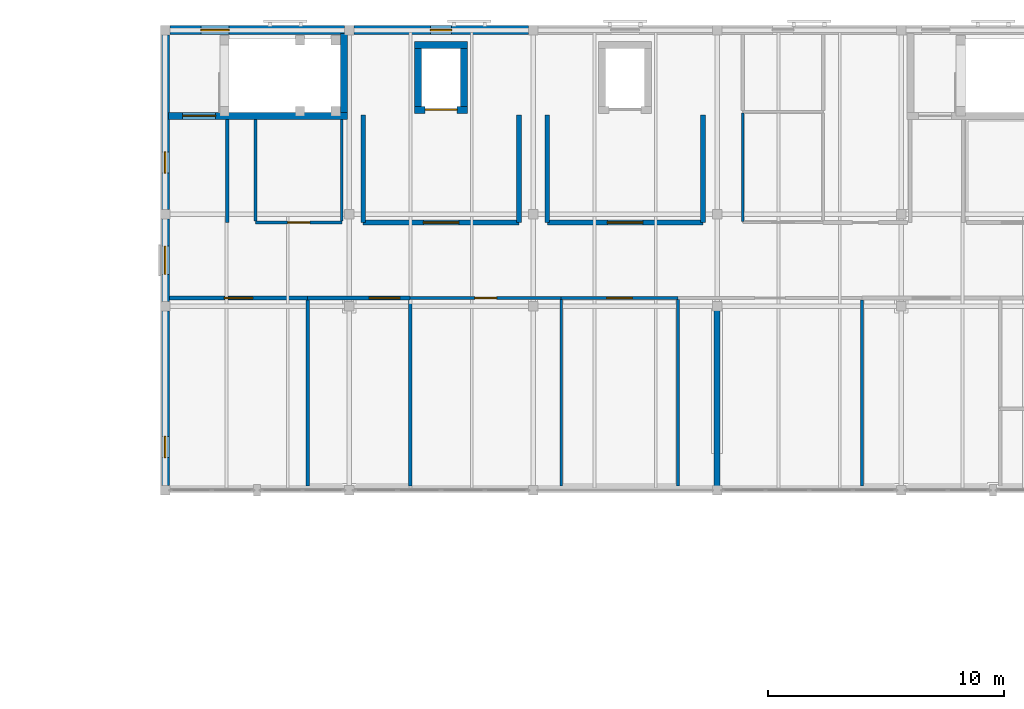
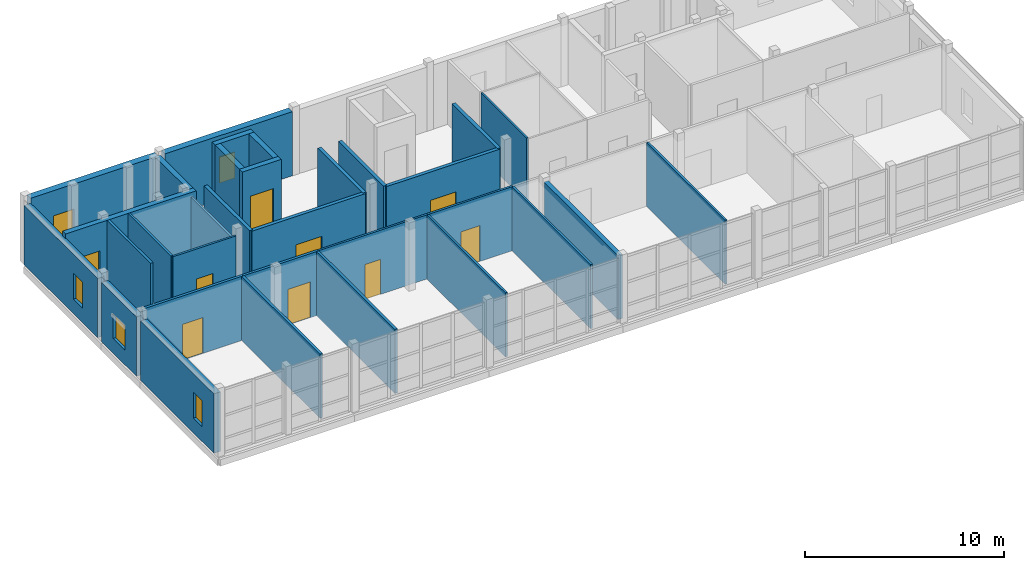
# One storey, part 17 of 21: 32 walls, 9 doors, 5 windows, 14 openings.
"""IFC4 building model written with IfcOpenShell, lengths in metres."""

from ifc_helpers import new_model, si_unit, direction, frame, frame_2d, origin, place, context, subcontext, project, spatial, rectangle, extrude, material, layer, layer_set, type_object, element, fill, save


model = new_model("IFC4")

# Units and contexts
model_context = context("Model", 3, precision=1e-05, world=origin(), true_north=direction((0.0, 1.0)))
body_context = subcontext(model_context, "Body", "Model", "MODEL_VIEW")
ifc_project = project(units=[si_unit("LENGTHUNIT", "METRE"), si_unit("AREAUNIT", "SQUARE_METRE"), si_unit("VOLUMEUNIT", "CUBIC_METRE"), si_unit("PLANEANGLEUNIT", "RADIAN"), si_unit("MASSUNIT", "GRAM", prefix="KILO")], contexts=[model_context])

# Site, building, storey
site_placement = place(None, origin())
site = spatial("IfcSite", under=ifc_project, at=site_placement, CompositionType="ELEMENT")
building_placement = place(site_placement, origin())
building = spatial("IfcBuilding", under=site, at=building_placement, Name="Celorna Specialist Clinic", CompositionType="ELEMENT")
storey_placement = place(building_placement, frame((0.0, 0.0, 23.10009765625)))
storey = spatial("IfcBuildingStorey", under=building, at=storey_placement, Name="L05", CompositionType="ELEMENT", Elevation=23.10009765625)

# Wall, opening, window
ifc_material_1 = material(Name="Terracotta masonry with insulated cavity", Category="masonry")
ifc_layer_1 = layer(ifc_material_1, 0.3798828125, Name="Terracotta masonry with insulated cavity")
ifc_layer_set_1 = layer_set([ifc_layer_1], Name="Terracotta masonry with insulated cavity")
wall_type_1 = type_object("IfcWallType", Name="WT-06", PredefinedType="STANDARD", material=ifc_layer_set_1)
wall_1_placement = place(storey_placement, frame((47.0, 116.0, 0.0), z_axis=(0.0, 0.0, 1.0), x_axis=(1.0, 0.0, 0.0)))
wall_1 = element("IfcWall", 1, at=wall_1_placement, inside=storey, type_object=wall_type_1, Name="External facade wall WT-06 #286", PredefinedType="STANDARD", context=body_context, shape_type="SweptSolid", body=[
    extrude(rectangle(XDim=7.39990234375, YDim=0.3798828125, at=frame_2d((3.699951171875, 0.0))), origin(), (0.0, 0.0, 1.0), 3.93994140625),
])
opening_1_placement = place(wall_1_placement, frame((1.31494140625, 0.0, 0.89990234375)))
opening_1 = element("IfcOpeningElement", 2, at=opening_1_placement, cuts=wall_1, Name="Opening WN-04", PredefinedType="OPENING", context=body_context, shape_type="SweptSolid", body=[
    extrude(rectangle(XDim=1.199951171875, YDim=1.5, at=frame_2d((0.60009765625, 0.75))), frame((0.0, 0.199951171875, 0.0), z_axis=(0.0, -1.0, 0.0), x_axis=(1.0, 0.0, 0.0)), (0.0, 0.0, 1.0), 0.39990234375),
])
ifc_material_2 = material(Name="Thermally broken aluminium triple-glazed window", Category="aluminium")
window_type_1 = type_object("IfcWindowType", Name="WN-04", PartitioningType="SINGLE_PANEL", PredefinedType="WINDOW", material=ifc_material_2)
window_1_placement = place(opening_1_placement, origin())
window_1 = element("IfcWindow", 3, at=window_1_placement, inside=storey, type_object=window_type_1, Name="Facade window WN-04 #165", OverallHeight=1.5, OverallWidth=1.199951171875, PartitioningType="SINGLE_PANEL", PredefinedType="WINDOW", context=body_context, shape_type="SweptSolid", body=[
    extrude(rectangle(XDim=1.199951171875, YDim=1.5, at=frame_2d((0.60009765625, 0.75))), frame((0.0, 0.030029296875, 0.0), z_axis=(0.0, -1.0, 0.0), x_axis=(1.0, 0.0, 0.0)), (0.0, 0.0, 1.0), 0.06005859375),
])
fill(opening_1, window_1)

wall_2_placement = place(storey_placement, frame((54.800048828125, 116.0, 0.0), z_axis=(0.0, 0.0, 1.0), x_axis=(1.0, 0.0, 0.0)))
wall_2 = element("IfcWall", 4, at=wall_2_placement, inside=storey, type_object=wall_type_1, Name="External facade wall WT-06 #287", PredefinedType="STANDARD", context=body_context, shape_type="SweptSolid", body=[
    extrude(rectangle(XDim=7.39990234375, YDim=0.3798828125, at=frame_2d((3.699951171875, 0.0))), origin(), (0.0, 0.0, 1.0), 3.93994140625),
])
opening_2_placement = place(wall_2_placement, frame((3.25, 0.0, 0.89990234375)))
opening_2 = element("IfcOpeningElement", 5, at=opening_2_placement, cuts=wall_2, Name="Opening WN-01", PredefinedType="OPENING", context=body_context, shape_type="SweptSolid", body=[
    extrude(rectangle(XDim=0.89990234375, YDim=1.60009765625, at=frame_2d((0.449951171875, 0.800048828125))), frame((0.0, 0.199951171875, 0.0), z_axis=(0.0, -1.0, 0.0), x_axis=(1.0, 0.0, 0.0)), (0.0, 0.0, 1.0), 0.39990234375),
])
window_type_2 = type_object("IfcWindowType", Name="WN-01", PartitioningType="SINGLE_PANEL", PredefinedType="WINDOW", material=ifc_material_2)
window_2_placement = place(opening_2_placement, origin())
window_2 = element("IfcWindow", 6, at=window_2_placement, inside=storey, type_object=window_type_2, Name="Facade window WN-01 #166", OverallHeight=1.60009765625, OverallWidth=0.89990234375, PartitioningType="SINGLE_PANEL", PredefinedType="WINDOW", context=body_context, shape_type="SweptSolid", body=[
    extrude(rectangle(XDim=0.89990234375, YDim=1.60009765625, at=frame_2d((0.449951171875, 0.800048828125))), frame((0.0, 0.030029296875, 0.0), z_axis=(0.0, -1.0, 0.0), x_axis=(1.0, 0.0, 0.0)), (0.0, 0.0, 1.0), 0.06005859375),
])
fill(opening_2, window_2)

wall_3_placement = place(storey_placement, frame((46.800048828125, 96.699951171875, 0.0), z_axis=(0.0, 0.0, 1.0), x_axis=(0.0, 1.0, 0.0)))
wall_3 = element("IfcWall", 7, at=wall_3_placement, inside=storey, type_object=wall_type_1, Name="External facade wall WT-06 #292", PredefinedType="STANDARD", context=body_context, shape_type="SweptSolid", body=[
    extrude(rectangle(XDim=7.400146484375, YDim=0.3798828125, at=frame_2d((3.7001953125, 0.0))), origin(), (0.0, 0.0, 1.0), 3.64990234375),
])
opening_3_placement = place(wall_3_placement, frame((1.18505859375, 0.0, 0.89990234375)))
opening_3 = element("IfcOpeningElement", 8, at=opening_3_placement, cuts=wall_3, Name="Opening WN-01", PredefinedType="OPENING", context=body_context, shape_type="SweptSolid", body=[
    extrude(rectangle(XDim=0.89990234375, YDim=1.60009765625, at=frame_2d((0.449951171875, 0.800048828125))), frame((0.0, 0.199951171875, 0.0), z_axis=(0.0, -1.0, 0.0), x_axis=(1.0, 0.0, 0.0)), (0.0, 0.0, 1.0), 0.39990234375),
])
window_3_placement = place(opening_3_placement, origin())
window_3 = element("IfcWindow", 9, at=window_3_placement, inside=storey, type_object=window_type_2, Name="Facade window WN-01 #171", OverallHeight=1.60009765625, OverallWidth=0.89990234375, PartitioningType="SINGLE_PANEL", PredefinedType="WINDOW", context=body_context, shape_type="SweptSolid", body=[
    extrude(rectangle(XDim=0.89990234375, YDim=1.60009765625, at=frame_2d((0.449951171875, 0.800048828125))), frame((0.0, 0.030029296875, 0.0), z_axis=(0.0, -1.0, 0.0), x_axis=(1.0, 0.0, 0.0)), (0.0, 0.0, 1.0), 0.06005859375),
])
fill(opening_3, window_3)

wall_4_placement = place(storey_placement, frame((46.800048828125, 104.5, 0.0), z_axis=(0.0, 0.0, 1.0), x_axis=(0.0, 1.0, 0.0)))
wall_4 = element("IfcWall", 10, at=wall_4_placement, inside=storey, type_object=wall_type_1, Name="External facade wall WT-06 #293", PredefinedType="STANDARD", context=body_context, shape_type="SweptSolid", body=[
    extrude(rectangle(XDim=3.5, YDim=0.3798828125, at=frame_2d((1.75, 0.0))), origin(), (0.0, 0.0, 1.0), 3.64990234375),
])
opening_4_placement = place(wall_4_placement, frame((1.14990234375, 0.0, 0.89990234375)))
opening_4 = element("IfcOpeningElement", 11, at=opening_4_placement, cuts=wall_4, Name="Opening WN-04", PredefinedType="OPENING", context=body_context, shape_type="SweptSolid", body=[
    extrude(rectangle(XDim=1.199951171875, YDim=1.5, at=frame_2d((0.60009765625, 0.75))), frame((0.0, 0.199951171875, 0.0), z_axis=(0.0, -1.0, 0.0), x_axis=(1.0, 0.0, 0.0)), (0.0, 0.0, 1.0), 0.39990234375),
])
window_4_placement = place(opening_4_placement, origin())
window_4 = element("IfcWindow", 12, at=window_4_placement, inside=storey, type_object=window_type_1, Name="Facade window WN-04 #172", OverallHeight=1.5, OverallWidth=1.199951171875, PartitioningType="SINGLE_PANEL", PredefinedType="WINDOW", context=body_context, shape_type="SweptSolid", body=[
    extrude(rectangle(XDim=1.199951171875, YDim=1.5, at=frame_2d((0.60009765625, 0.75))), frame((0.0, 0.030029296875, 0.0), z_axis=(0.0, -1.0, 0.0), x_axis=(1.0, 0.0, 0.0)), (0.0, 0.0, 1.0), 0.06005859375),
])
fill(opening_4, window_4)

wall_5_placement = place(storey_placement, frame((46.800048828125, 108.39990234375, 0.0), z_axis=(0.0, 0.0, 1.0), x_axis=(0.0, 1.0, 0.0)))
wall_5 = element("IfcWall", 13, at=wall_5_placement, inside=storey, type_object=wall_type_1, Name="External facade wall WT-06 #294", PredefinedType="STANDARD", context=body_context, shape_type="SweptSolid", body=[
    extrude(rectangle(XDim=7.400146484375, YDim=0.3798828125, at=frame_2d((3.7001953125, 0.0))), origin(), (0.0, 0.0, 1.0), 3.64990234375),
])
opening_5_placement = place(wall_5_placement, frame((1.544921875, 0.0, 0.89990234375)))
opening_5 = element("IfcOpeningElement", 14, at=opening_5_placement, cuts=wall_5, Name="Opening WN-01", PredefinedType="OPENING", context=body_context, shape_type="SweptSolid", body=[
    extrude(rectangle(XDim=0.89990234375, YDim=1.60009765625, at=frame_2d((0.449951171875, 0.800048828125))), frame((0.0, 0.199951171875, 0.0), z_axis=(0.0, -1.0, 0.0), x_axis=(1.0, 0.0, 0.0)), (0.0, 0.0, 1.0), 0.39990234375),
])
window_5_placement = place(opening_5_placement, origin())
window_5 = element("IfcWindow", 15, at=window_5_placement, inside=storey, type_object=window_type_2, Name="Facade window WN-01 #173", OverallHeight=1.60009765625, OverallWidth=0.89990234375, PartitioningType="SINGLE_PANEL", PredefinedType="WINDOW", context=body_context, shape_type="SweptSolid", body=[
    extrude(rectangle(XDim=0.89990234375, YDim=1.60009765625, at=frame_2d((0.449951171875, 0.800048828125))), frame((0.0, 0.030029296875, 0.0), z_axis=(0.0, -1.0, 0.0), x_axis=(1.0, 0.0, 0.0)), (0.0, 0.0, 1.0), 0.06005859375),
])
fill(opening_5, window_5)

# Wall, opening, door
ifc_material_3 = material(Name="Concrete C35/45", Category="concrete")
ifc_layer_2 = layer(ifc_material_3, 0.300048828125, Name="Concrete C35/45")
ifc_layer_set_2 = layer_set([ifc_layer_2], Name="Concrete C35/45")
wall_type_2 = type_object("IfcWallType", Name="WT-08", PredefinedType="SHEAR", material=ifc_layer_set_2)
wall_6_placement = place(storey_placement, frame((46.949951171875, 112.3701171875, 0.0), z_axis=(0.0, 0.0, 1.0), x_axis=(1.0, 0.0, 0.0)))
wall_6 = element("IfcWall", 16, at=wall_6_placement, inside=storey, type_object=wall_type_2, Name="Stair ST-01 RC core wall L05 south", PredefinedType="SHEAR", context=body_context, shape_type="SweptSolid", body=[
    extrude(rectangle(XDim=7.590087890625, YDim=0.300048828125, at=frame_2d((3.794921875, 0.0))), origin(), (0.0, 0.0, 1.0), 3.93994140625),
])
opening_6_placement = place(wall_6_placement, frame((0.590087890625, 0.0, 0.0)))
opening_6 = element("IfcOpeningElement", 17, at=opening_6_placement, cuts=wall_6, Name="Opening DR-10", PredefinedType="OPENING", context=body_context, shape_type="SweptSolid", body=[
    extrude(rectangle(XDim=1.39990234375, YDim=2.199951171875, at=frame_2d((0.699951171875, 1.10009765625))), frame((0.0, 0.159912109375, 0.0), z_axis=(0.0, -1.0, 0.0), x_axis=(1.0, 0.0, 0.0)), (0.0, 0.0, 1.0), 0.320068359375),
])
ifc_material_4 = material(Name="Protected exit stair fire door")
door_type_1 = type_object("IfcDoorType", Name="DR-10", OperationType="NOTDEFINED", PredefinedType="DOOR", material=ifc_material_4)
door_1_placement = place(opening_6_placement, origin())
door_1 = element("IfcDoor", 18, at=door_1_placement, inside=storey, type_object=door_type_1, Name="Protected exit stair door ST-01 L05", OperationType="SINGLE_SWING_RIGHT", OverallHeight=2.199951171875, OverallWidth=1.39990234375, PredefinedType="DOOR", context=body_context, shape_type="SweptSolid", body=[
    extrude(rectangle(XDim=1.39990234375, YDim=2.199951171875, at=frame_2d((0.699951171875, 1.10009765625))), frame((0.0, 0.02490234375, 0.0), z_axis=(0.0, -1.0, 0.0), x_axis=(1.0, 0.0, 0.0)), (0.0, 0.0, 1.0), 0.050048828125),
])
fill(opening_6, door_1)

# Wall
wall_7_placement = place(storey_placement, frame((54.389892578125, 112.52001953125, 0.0), z_axis=(0.0, 0.0, 1.0), x_axis=(0.0, 1.0, 0.0)))
element("IfcWall", 19, at=wall_7_placement, inside=storey, type_object=wall_type_2, Name="Stair ST-01 RC core wall L05 east", PredefinedType="SHEAR", context=body_context, shape_type="SweptSolid", body=[
    extrude(rectangle(XDim=3.330078125, YDim=0.300048828125, at=frame_2d((1.6650390625, 0.0))), origin(), (0.0, 0.0, 1.0), 3.93994140625),
])

# Wall, opening, door
wall_8_placement = place(storey_placement, frame((57.375, 112.625, 0.0), z_axis=(0.0, 0.0, 1.0), x_axis=(1.0, 0.0, 0.0)))
wall_8 = element("IfcWall", 20, at=wall_8_placement, inside=storey, type_object=wall_type_2, Name="Lift LF-01 RC shaft wall L05", PredefinedType="SHEAR", context=body_context, shape_type="SweptSolid", body=[
    extrude(rectangle(XDim=2.25, YDim=0.300048828125, at=frame_2d((1.125, 0.0))), origin(), (0.0, 0.0, 1.0), 3.93994140625),
])
opening_7_placement = place(wall_8_placement, frame((0.449951171875, 0.0, 0.0)))
opening_7 = element("IfcOpeningElement", 21, at=opening_7_placement, cuts=wall_8, Name="Opening LD-02", PredefinedType="OPENING", context=body_context, shape_type="SweptSolid", body=[
    extrude(rectangle(XDim=1.35009765625, YDim=2.300048828125, at=frame_2d((0.675048828125, 1.14990234375))), frame((0.0, 0.159912109375, 0.0), z_axis=(0.0, -1.0, 0.0), x_axis=(1.0, 0.0, 0.0)), (0.0, 0.0, 1.0), 0.320068359375),
])
ifc_material_5 = material(Name="Firefighting stretcher lift landing sliding door")
door_type_2 = type_object("IfcDoorType", Name="LD-02", OperationType="DOUBLE_DOOR_SLIDING", PredefinedType="DOOR", material=ifc_material_5)
door_2_placement = place(opening_7_placement, origin())
door_2 = element("IfcDoor", 22, at=door_2_placement, inside=storey, type_object=door_type_2, Name="Lift LF-01 sliding landing door L05", OperationType="DOUBLE_DOOR_SLIDING", OverallHeight=2.300048828125, OverallWidth=1.35009765625, PredefinedType="DOOR", context=body_context, shape_type="SweptSolid", body=[
    extrude(rectangle(XDim=1.35009765625, YDim=2.300048828125, at=frame_2d((0.675048828125, 1.14990234375))), frame((0.0, 0.02490234375, 0.0), z_axis=(0.0, -1.0, 0.0), x_axis=(1.0, 0.0, 0.0)), (0.0, 0.0, 1.0), 0.050048828125),
])
fill(opening_7, door_2)

# Walls
wall_9_placement = place(storey_placement, frame((59.625, 115.375, 0.0), z_axis=(0.0, 0.0, 1.0), x_axis=(-1.0, 0.0, 0.0)))
element("IfcWall", 23, at=wall_9_placement, inside=storey, type_object=wall_type_2, Name="Lift LF-01 RC shaft wall L05", PredefinedType="SHEAR", context=body_context, shape_type="SweptSolid", body=[
    extrude(rectangle(XDim=2.25, YDim=0.300048828125, at=frame_2d((1.125, 0.0))), origin(), (0.0, 0.0, 1.0), 3.93994140625),
])
for number, where, z_axis, x_axis, name in (
    (24, (57.52490234375, 115.22509765625, 0.0), (0.0, 0.0, 1.0), (0.0, -1.0, 0.0), "Lift LF-01 RC shaft wall L05"),
    (25, (59.47509765625, 112.77490234375, 0.0), (0.0, 0.0, 1.0), (0.0, 1.0, 0.0), "Lift LF-01 RC shaft wall L05"),
):
    element("IfcWall", number, at=place(storey_placement, frame(where, z_axis=z_axis, x_axis=x_axis)), inside=storey, type_object=wall_type_2, Name=name, PredefinedType="SHEAR", context=body_context, shape_type="SweptSolid", body=[
        extrude(rectangle(XDim=2.4501953125, YDim=0.300048828125, at=frame_2d((1.22509765625, 0.0))), origin(), (0.0, 0.0, 1.0), 3.93994140625),
    ])
ifc_layer_3 = layer(ifc_material_3, 0.260009765625, Name="Concrete C35/45")
ifc_layer_set_3 = layer_set([ifc_layer_3], Name="Concrete C35/45")
wall_type_3 = type_object("IfcWallType", Name="WT-10", PredefinedType="SHEAR", material=ifc_layer_set_3)
wall_10_placement = place(storey_placement, frame((70.199951171875, 96.68994140625, 0.0), z_axis=(0.0, 0.0, 1.0), x_axis=(0.0, 1.0, 0.0)))
element("IfcWall", 26, at=wall_10_placement, inside=storey, type_object=wall_type_3, Name="Structural RC shear wall WT-10 V4 L05", PredefinedType="SHEAR", context=body_context, shape_type="SweptSolid", body=[
    extrude(rectangle(XDim=7.4599609375, YDim=0.260009765625, at=frame_2d((3.72998046875, 0.0))), origin(), (0.0, 0.0, 1.0), 3.93994140625),
])

# Wall, opening, door
ifc_layer_4 = layer(ifc_material_3, 0.199951171875, Name="Concrete C35/45")
ifc_layer_set_4 = layer_set([ifc_layer_4], Name="Concrete C35/45")
wall_type_4 = type_object("IfcWallType", Name="WT-12", PredefinedType="SOLIDWALL", material=ifc_layer_set_4)
wall_11_placement = place(storey_placement, frame((55.199951171875, 107.85009765625, 0.0), z_axis=(0.0, 0.0, 1.0), x_axis=(1.0, 0.0, 0.0)))
wall_11 = element("IfcWall", 27, at=wall_11_placement, inside=storey, type_object=wall_type_4, Name="Firefighting lobby wall LF-01 L05", PredefinedType="SOLIDWALL", context=body_context, shape_type="SweptSolid", body=[
    extrude(rectangle(XDim=6.60009765625, YDim=0.199951171875, at=frame_2d((3.300048828125, 0.0))), origin(), (0.0, 0.0, 1.0), 3.93994140625),
])
opening_8_placement = place(wall_11_placement, frame((2.550048828125, 0.0, 0.0)))
opening_8 = element("IfcOpeningElement", 28, at=opening_8_placement, cuts=wall_11, Name="Opening DR-11", PredefinedType="OPENING", context=body_context, shape_type="SweptSolid", body=[
    extrude(rectangle(XDim=1.5, YDim=2.199951171875, at=frame_2d((0.75, 1.10009765625))), frame((0.0, 0.10986328125, 0.0), z_axis=(0.0, -1.0, 0.0), x_axis=(1.0, 0.0, 0.0)), (0.0, 0.0, 1.0), 0.219970703125),
])
ifc_material_6 = material(Name="Firefighting lobby double fire door")
door_type_3 = type_object("IfcDoorType", Name="DR-11", OperationType="DOUBLE_DOOR_SINGLE_SWING", PredefinedType="DOOR", material=ifc_material_6)
door_3_placement = place(opening_8_placement, origin())
door_3 = element("IfcDoor", 29, at=door_3_placement, inside=storey, type_object=door_type_3, Name="Firefighting lobby fire door LF-01 L05", OperationType="DOUBLE_DOOR_SINGLE_SWING", OverallHeight=2.199951171875, OverallWidth=1.5, PredefinedType="DOOR", context=body_context, shape_type="SweptSolid", body=[
    extrude(rectangle(XDim=1.5, YDim=2.199951171875, at=frame_2d((0.75, 1.10009765625))), frame((0.0, 0.02490234375, 0.0), z_axis=(0.0, -1.0, 0.0), x_axis=(1.0, 0.0, 0.0)), (0.0, 0.0, 1.0), 0.050048828125),
])
fill(opening_8, door_3)

# Walls
for number, where, z_axis, x_axis, name in (
    (30, (55.199951171875, 112.39990234375, 0.0), (0.0, 0.0, 1.0), (0.0, -1.0, 0.0), "Firefighting lobby wall LF-01 L05"),
    (31, (61.800048828125, 107.85009765625, 0.0), (0.0, 0.0, 1.0), (0.0, 1.0, 0.0), "Firefighting lobby wall LF-01 L05"),
):
    element("IfcWall", number, at=place(storey_placement, frame(where, z_axis=z_axis, x_axis=x_axis)), inside=storey, type_object=wall_type_4, Name=name, PredefinedType="SOLIDWALL", context=body_context, shape_type="SweptSolid", body=[
        extrude(rectangle(XDim=4.5498046875, YDim=0.199951171875, at=frame_2d((2.27490234375, 0.0))), origin(), (0.0, 0.0, 1.0), 3.93994140625),
    ])

# Wall, opening, door
wall_12_placement = place(storey_placement, frame((63.0, 107.85009765625, 0.0), z_axis=(0.0, 0.0, 1.0), x_axis=(1.0, 0.0, 0.0)))
wall_12 = element("IfcWall", 32, at=wall_12_placement, inside=storey, type_object=wall_type_4, Name="Firefighting lobby wall LF-02 L05", PredefinedType="SOLIDWALL", context=body_context, shape_type="SweptSolid", body=[
    extrude(rectangle(XDim=6.60009765625, YDim=0.199951171875, at=frame_2d((3.300048828125, 0.0))), origin(), (0.0, 0.0, 1.0), 3.93994140625),
])
opening_9_placement = place(wall_12_placement, frame((2.550048828125, 0.0, 0.0)))
opening_9 = element("IfcOpeningElement", 33, at=opening_9_placement, cuts=wall_12, Name="Opening DR-11", PredefinedType="OPENING", context=body_context, shape_type="SweptSolid", body=[
    extrude(rectangle(XDim=1.5, YDim=2.199951171875, at=frame_2d((0.75, 1.10009765625))), frame((0.0, 0.10986328125, 0.0), z_axis=(0.0, -1.0, 0.0), x_axis=(1.0, 0.0, 0.0)), (0.0, 0.0, 1.0), 0.219970703125),
])
door_4_placement = place(opening_9_placement, origin())
door_4 = element("IfcDoor", 34, at=door_4_placement, inside=storey, type_object=door_type_3, Name="Firefighting lobby fire door LF-02 L05", OperationType="DOUBLE_DOOR_SINGLE_SWING", OverallHeight=2.199951171875, OverallWidth=1.5, PredefinedType="DOOR", context=body_context, shape_type="SweptSolid", body=[
    extrude(rectangle(XDim=1.5, YDim=2.199951171875, at=frame_2d((0.75, 1.10009765625))), frame((0.0, 0.02490234375, 0.0), z_axis=(0.0, -1.0, 0.0), x_axis=(1.0, 0.0, 0.0)), (0.0, 0.0, 1.0), 0.050048828125),
])
fill(opening_9, door_4)

# Walls
for number, where, z_axis, x_axis, name in (
    (35, (63.0, 112.39990234375, 0.0), (0.0, 0.0, 1.0), (0.0, -1.0, 0.0), "Firefighting lobby wall LF-02 L05"),
    (36, (69.60009765625, 107.85009765625, 0.0), (0.0, 0.0, 1.0), (0.0, 1.0, 0.0), "Firefighting lobby wall LF-02 L05"),
):
    element("IfcWall", number, at=place(storey_placement, frame(where, z_axis=z_axis, x_axis=x_axis)), inside=storey, type_object=wall_type_4, Name=name, PredefinedType="SOLIDWALL", context=body_context, shape_type="SweptSolid", body=[
        extrude(rectangle(XDim=4.5498046875, YDim=0.199951171875, at=frame_2d((2.27490234375, 0.0))), origin(), (0.0, 0.0, 1.0), 3.93994140625),
    ])
ifc_material_7 = material(Name="Fire-rated gypsum board partition")
ifc_layer_5 = layer(ifc_material_7, 0.14990234375, Name="Fire-rated gypsum board partition")
ifc_layer_set_5 = layer_set([ifc_layer_5], Name="Fire-rated gypsum board partition")
wall_type_5 = type_object("IfcWallType", Name="WT-14", PredefinedType="PARTITIONING", material=ifc_layer_set_5)
wall_13_placement = place(storey_placement, frame((49.43994140625, 107.85009765625, 0.0), z_axis=(0.0, 0.0, 1.0), x_axis=(0.0, 1.0, 0.0)))
element("IfcWall", 37, at=wall_13_placement, inside=storey, type_object=wall_type_5, Name="Corridor spur partition WT-14", PredefinedType="PARTITIONING", context=body_context, shape_type="SweptSolid", body=[
    extrude(rectangle(XDim=4.369873046875, YDim=0.14990234375, at=frame_2d((2.18505859375, 0.0))), origin(), (0.0, 0.0, 1.0), 3.93994140625),
])

# Wall, opening, door
wall_14_placement = place(storey_placement, frame((52.840087890625, 104.64990234375, 0.0), z_axis=(0.0, 0.0, 1.0), x_axis=(-1.0, 0.0, 0.0)))
wall_14 = element("IfcWall", 38, at=wall_14_placement, inside=storey, type_object=wall_type_5, Name="Interior partition WT-14 L05-006", PredefinedType="PARTITIONING", context=body_context, shape_type="SweptSolid", body=[
    extrude(rectangle(XDim=5.85009765625, YDim=0.14990234375, at=frame_2d((2.925048828125, 0.0))), origin(), (0.0, 0.0, 1.0), 3.93994140625),
])
opening_10_placement = place(wall_14_placement, frame((2.324951171875, 0.0, 0.0)))
opening_10 = element("IfcOpeningElement", 39, at=opening_10_placement, cuts=wall_14, Name="Opening DR-08", PredefinedType="OPENING", context=body_context, shape_type="SweptSolid", body=[
    extrude(rectangle(XDim=1.199951171875, YDim=2.199951171875, at=frame_2d((0.60009765625, 1.10009765625))), frame((0.0, 0.0849609375, 0.0), z_axis=(0.0, -1.0, 0.0), x_axis=(1.0, 0.0, 0.0)), (0.0, 0.0, 1.0), 0.169921875),
])
ifc_material_8 = material(Name="Stretcher-width clinical door")
door_type_4 = type_object("IfcDoorType", Name="DR-08", OperationType="NOTDEFINED", PredefinedType="DOOR", material=ifc_material_8)
door_5_placement = place(opening_10_placement, origin())
door_5 = element("IfcDoor", 40, at=door_5_placement, inside=storey, type_object=door_type_4, Name="Multidisciplinary Oncology Board Room door L05-006", OperationType="SINGLE_SWING_LEFT", OverallHeight=2.199951171875, OverallWidth=1.199951171875, PredefinedType="DOOR", context=body_context, shape_type="SweptSolid", body=[
    extrude(rectangle(XDim=1.199951171875, YDim=2.199951171875, at=frame_2d((0.60009765625, 1.10009765625))), frame((0.0, 0.02490234375, 0.0), z_axis=(0.0, -1.0, 0.0), x_axis=(1.0, 0.0, 0.0)), (0.0, 0.0, 1.0), 0.050048828125),
])
fill(opening_10, door_5)

wall_15_placement = place(storey_placement, frame((57.18994140625, 104.64990234375, 0.0), z_axis=(0.0, 0.0, 1.0), x_axis=(-1.0, 0.0, 0.0)))
wall_15 = element("IfcWall", 41, at=wall_15_placement, inside=storey, type_object=wall_type_5, Name="Interior partition WT-14 L05-007", PredefinedType="PARTITIONING", context=body_context, shape_type="SweptSolid", body=[
    extrude(rectangle(XDim=4.349853515625, YDim=0.14990234375, at=frame_2d((2.1748046875, 0.0))), origin(), (0.0, 0.0, 1.0), 3.93994140625),
])
opening_11_placement = place(wall_15_placement, frame((0.4375, 0.0, 0.0)))
opening_11 = element("IfcOpeningElement", 42, at=opening_11_placement, cuts=wall_15, Name="Opening DR-09", PredefinedType="OPENING", context=body_context, shape_type="SweptSolid", body=[
    extrude(rectangle(XDim=1.300048828125, YDim=2.199951171875, at=frame_2d((0.64990234375, 1.10009765625))), frame((0.0, 0.0849609375, 0.0), z_axis=(0.0, -1.0, 0.0), x_axis=(1.0, 0.0, 0.0)), (0.0, 0.0, 1.0), 0.169921875),
])
ifc_material_9 = material(Name="Lead-lined radiology room door")
door_type_5 = type_object("IfcDoorType", Name="DR-09", OperationType="NOTDEFINED", PredefinedType="DOOR", material=ifc_material_9)
door_6_placement = place(opening_11_placement, origin())
door_6 = element("IfcDoor", 43, at=door_6_placement, inside=storey, type_object=door_type_5, Name="Consulting Room door L05-007", OperationType="SINGLE_SWING_RIGHT", OverallHeight=2.199951171875, OverallWidth=1.300048828125, PredefinedType="DOOR", context=body_context, shape_type="SweptSolid", body=[
    extrude(rectangle(XDim=1.300048828125, YDim=2.199951171875, at=frame_2d((0.64990234375, 1.10009765625))), frame((0.0, 0.02490234375, 0.0), z_axis=(0.0, -1.0, 0.0), x_axis=(1.0, 0.0, 0.0)), (0.0, 0.0, 1.0), 0.050048828125),
])
fill(opening_11, door_6)

# Walls
for number, where, z_axis, x_axis, name in (
    (44, (52.840087890625, 96.68994140625, 0.0), (0.0, 0.0, 1.0), (0.0, 1.0, 0.0), "Room dividing partition WT-14 L05-006"),
    (45, (57.18994140625, 96.68994140625, 0.0), (0.0, 0.0, 1.0), (0.0, 1.0, 0.0), "Room dividing partition WT-14 L05-007"),
):
    element("IfcWall", number, at=place(storey_placement, frame(where, z_axis=z_axis, x_axis=x_axis)), inside=storey, type_object=wall_type_5, Name=name, PredefinedType="PARTITIONING", context=body_context, shape_type="SweptSolid", body=[
        extrude(rectangle(XDim=7.885009765625, YDim=0.14990234375, at=frame_2d((3.9423828125, 0.0))), origin(), (0.0, 0.0, 1.0), 3.93994140625),
    ])

# Wall, opening, door
ifc_material_10 = material(Name="Acoustic gypsum board partition")
ifc_layer_6 = layer(ifc_material_10, 0.1201171875, Name="Acoustic gypsum board partition")
ifc_layer_set_6 = layer_set([ifc_layer_6], Name="Acoustic gypsum board partition")
wall_type_6 = type_object("IfcWallType", Name="WT-15", PredefinedType="PARTITIONING", material=ifc_layer_set_6)
wall_16_placement = place(storey_placement, frame((63.590087890625, 104.64990234375, 0.0), z_axis=(0.0, 0.0, 1.0), x_axis=(-1.0, 0.0, 0.0)))
wall_16 = element("IfcWall", 46, at=wall_16_placement, inside=storey, type_object=wall_type_6, Name="Interior partition WT-15 L05-008", PredefinedType="PARTITIONING", context=body_context, shape_type="SweptSolid", body=[
    extrude(rectangle(XDim=6.400146484375, YDim=0.1201171875, at=frame_2d((3.2001953125, 0.0))), origin(), (0.0, 0.0, 1.0), 3.93994140625),
])
opening_12_placement = place(wall_16_placement, frame((2.739990234375, 0.0, 0.0)))
opening_12 = element("IfcOpeningElement", 47, at=opening_12_placement, cuts=wall_16, Name="Opening DR-20", PredefinedType="OPENING", context=body_context, shape_type="SweptSolid", body=[
    extrude(rectangle(XDim=0.919921875, YDim=2.14990234375, at=frame_2d((0.4599609375, 1.074951171875))), frame((0.0, 0.070068359375, 0.0), z_axis=(0.0, -1.0, 0.0), x_axis=(1.0, 0.0, 0.0)), (0.0, 0.0, 1.0), 0.14013671875),
])
ifc_material_11 = material(Name="Timber clinical consultation door", Category="wood")
door_type_6 = type_object("IfcDoorType", Name="DR-20", OperationType="NOTDEFINED", PredefinedType="DOOR", material=ifc_material_11)
door_7_placement = place(opening_12_placement, origin())
door_7 = element("IfcDoor", 48, at=door_7_placement, inside=storey, type_object=door_type_6, Name="Telemedicine Specialist Consultation Suite door L05-008", OperationType="SINGLE_SWING_LEFT", OverallHeight=2.14990234375, OverallWidth=0.919921875, PredefinedType="DOOR", context=body_context, shape_type="SweptSolid", body=[
    extrude(rectangle(XDim=0.919921875, YDim=2.14990234375, at=frame_2d((0.4599609375, 1.074951171875))), frame((0.0, 0.02490234375, 0.0), z_axis=(0.0, -1.0, 0.0), x_axis=(1.0, 0.0, 0.0)), (0.0, 0.0, 1.0), 0.050048828125),
])
fill(opening_12, door_7)

wall_17_placement = place(storey_placement, frame((68.5400390625, 104.64990234375, 0.0), z_axis=(0.0, 0.0, 1.0), x_axis=(-1.0, 0.0, 0.0)))
wall_17 = element("IfcWall", 49, at=wall_17_placement, inside=storey, type_object=wall_type_6, Name="Interior partition WT-15 L05-009", PredefinedType="PARTITIONING", context=body_context, shape_type="SweptSolid", body=[
    extrude(rectangle(XDim=4.949951171875, YDim=0.1201171875, at=frame_2d((2.47509765625, 0.0))), origin(), (0.0, 0.0, 1.0), 3.93994140625),
])
opening_13_placement = place(wall_17_placement, frame((1.93505859375, 0.0, 0.0)))
opening_13 = element("IfcOpeningElement", 50, at=opening_13_placement, cuts=wall_17, Name="Opening DR-21", PredefinedType="OPENING", context=body_context, shape_type="SweptSolid", body=[
    extrude(rectangle(XDim=1.080078125, YDim=2.199951171875, at=frame_2d((0.5400390625, 1.10009765625))), frame((0.0, 0.070068359375, 0.0), z_axis=(0.0, -1.0, 0.0), x_axis=(1.0, 0.0, 0.0)), (0.0, 0.0, 1.0), 0.14013671875),
])
ifc_material_12 = material(Name="Timber outpatient suite door", Category="wood")
door_type_7 = type_object("IfcDoorType", Name="DR-21", OperationType="NOTDEFINED", PredefinedType="DOOR", material=ifc_material_12)
door_8_placement = place(opening_13_placement, origin())
door_8 = element("IfcDoor", 51, at=door_8_placement, inside=storey, type_object=door_type_7, Name="Genetic Counselling Room door L05-009", OperationType="SINGLE_SWING_RIGHT", OverallHeight=2.199951171875, OverallWidth=1.080078125, PredefinedType="DOOR", context=body_context, shape_type="SweptSolid", body=[
    extrude(rectangle(XDim=1.080078125, YDim=2.199951171875, at=frame_2d((0.5400390625, 1.10009765625))), frame((0.0, 0.02490234375, 0.0), z_axis=(0.0, -1.0, 0.0), x_axis=(1.0, 0.0, 0.0)), (0.0, 0.0, 1.0), 0.050048828125),
])
fill(opening_13, door_8)

wall_18_placement = place(storey_placement, frame((50.639892578125, 107.85009765625, 0.0), z_axis=(0.0, 0.0, 1.0), x_axis=(1.0, 0.0, 0.0)))
wall_18 = element("IfcWall", 52, at=wall_18_placement, inside=storey, type_object=wall_type_6, Name="Interior partition WT-15 L05-014", PredefinedType="PARTITIONING", context=body_context, shape_type="SweptSolid", body=[
    extrude(rectangle(XDim=3.650146484375, YDim=0.1201171875, at=frame_2d((1.8251953125, 0.0))), origin(), (0.0, 0.0, 1.0), 3.93994140625),
])
opening_14_placement = place(wall_18_placement, frame((1.35009765625, 0.0, 0.0)))
opening_14 = element("IfcOpeningElement", 53, at=opening_14_placement, cuts=wall_18, Name="Opening DR-03", PredefinedType="OPENING", context=body_context, shape_type="SweptSolid", body=[
    extrude(rectangle(XDim=0.949951171875, YDim=2.10009765625, at=frame_2d((0.47509765625, 1.050048828125))), frame((0.0, 0.070068359375, 0.0), z_axis=(0.0, -1.0, 0.0), x_axis=(1.0, 0.0, 0.0)), (0.0, 0.0, 1.0), 0.14013671875),
])
ifc_material_13 = material(Name="Moisture-resistant accessible WC door")
door_type_8 = type_object("IfcDoorType", Name="DR-03", OperationType="NOTDEFINED", PredefinedType="DOOR", material=ifc_material_13)
door_9_placement = place(opening_14_placement, origin())
door_9 = element("IfcDoor", 54, at=door_9_placement, inside=storey, type_object=door_type_8, Name="Public Male WC door L05-014", OperationType="SINGLE_SWING_LEFT", OverallHeight=2.10009765625, OverallWidth=0.949951171875, PredefinedType="DOOR", context=body_context, shape_type="SweptSolid", body=[
    extrude(rectangle(XDim=0.949951171875, YDim=2.10009765625, at=frame_2d((0.47509765625, 1.050048828125))), frame((0.0, 0.02490234375, 0.0), z_axis=(0.0, -1.0, 0.0), x_axis=(1.0, 0.0, 0.0)), (0.0, 0.0, 1.0), 0.050048828125),
])
fill(opening_14, door_9)

# Walls
for number, where, z_axis, x_axis, name in (
    (55, (63.590087890625, 96.68994140625, 0.0), (0.0, 0.0, 1.0), (0.0, 1.0, 0.0), "Room dividing partition WT-15 L05-008"),
    (56, (68.5400390625, 96.68994140625, 0.0), (0.0, 0.0, 1.0), (0.0, 1.0, 0.0), "Room dividing partition WT-15 L05-009"),
):
    element("IfcWall", number, at=place(storey_placement, frame(where, z_axis=z_axis, x_axis=x_axis)), inside=storey, type_object=wall_type_6, Name=name, PredefinedType="PARTITIONING", context=body_context, shape_type="SweptSolid", body=[
        extrude(rectangle(XDim=7.900146484375, YDim=0.1201171875, at=frame_2d((3.9501953125, 0.0))), origin(), (0.0, 0.0, 1.0), 3.93994140625),
    ])
wall_19_placement = place(storey_placement, frame((76.340087890625, 96.68994140625, 0.0), z_axis=(0.0, 0.0, 1.0), x_axis=(0.0, 1.0, 0.0)))
element("IfcWall", 57, at=wall_19_placement, inside=storey, type_object=wall_type_6, Name="Room dividing partition WT-15 L05-010", PredefinedType="PARTITIONING", context=body_context, shape_type="SweptSolid", body=[
    extrude(rectangle(XDim=7.885009765625, YDim=0.1201171875, at=frame_2d((3.9423828125, 0.0))), origin(), (0.0, 0.0, 1.0), 3.93994140625),
])
wall_20_placement = place(storey_placement, frame((50.639892578125, 107.909912109375, 0.0), z_axis=(0.0, 0.0, 1.0), x_axis=(0.0, 1.0, 0.0)))
element("IfcWall", 58, at=wall_20_placement, inside=storey, type_object=wall_type_6, Name="Room dividing partition WT-15 L05-014", PredefinedType="PARTITIONING", context=body_context, shape_type="SweptSolid", body=[
    extrude(rectangle(XDim=4.31005859375, YDim=0.1201171875, at=frame_2d((2.155029296875, 0.0))), origin(), (0.0, 0.0, 1.0), 3.93994140625),
])
wall_21_placement = place(storey_placement, frame((54.2900390625, 107.909912109375, 0.0), z_axis=(0.0, 0.0, 1.0), x_axis=(0.0, 1.0, 0.0)))
element("IfcWall", 59, at=wall_21_placement, inside=storey, type_object=wall_type_6, Name="Room dividing partition WT-15 L05-014", PredefinedType="PARTITIONING", context=body_context, shape_type="SweptSolid", body=[
    extrude(rectangle(XDim=4.31005859375, YDim=0.1201171875, at=frame_2d((2.155029296875, 0.0))), origin(), (0.0, 0.0, 1.0), 3.64990234375),
])
ifc_material_14 = material(Name="Moisture-resistant gypsum partition")
ifc_layer_7 = layer(ifc_material_14, 0.10009765625, Name="Moisture-resistant gypsum partition")
ifc_layer_set_7 = layer_set([ifc_layer_7], Name="Moisture-resistant gypsum partition")
wall_type_7 = type_object("IfcWallType", Name="WT-16", PredefinedType="PARTITIONING", material=ifc_layer_set_7)
wall_22_placement = place(storey_placement, frame((71.2900390625, 107.89990234375, 0.0), z_axis=(0.0, 0.0, 1.0), x_axis=(0.0, 1.0, 0.0)))
element("IfcWall", 60, at=wall_22_placement, inside=storey, type_object=wall_type_7, Name="Room dividing partition WT-16 L05-015", PredefinedType="PARTITIONING", context=body_context, shape_type="SweptSolid", body=[
    extrude(rectangle(XDim=4.60009765625, YDim=0.10009765625, at=frame_2d((2.300048828125, 0.0))), origin(), (0.0, 0.0, 1.0), 3.93994140625),
])

save(model, "model.ifc")
